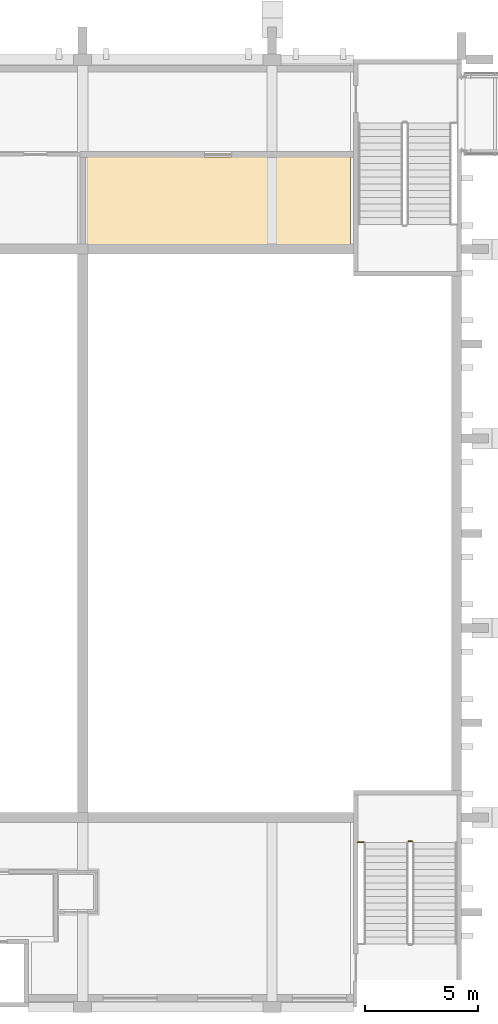
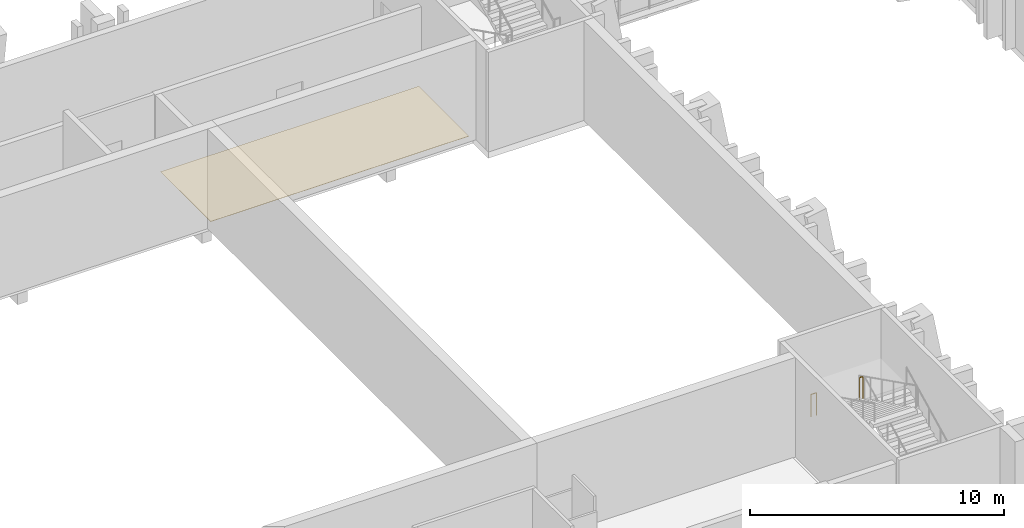
# One storey, part 80 of 91: 2 railings, 1 covering.
"""IFC4 building model written with IfcOpenShell, lengths in metres."""

from ifc_helpers import new_model, si_unit, direction, frame, origin, origin_2d, place, context, subcontext, project, spatial, polyline, circle, outline, extrude, material, layer, layer_set, type_object, element, save


model = new_model("IFC4")

# Units and contexts
model_context = context("Model", 3, precision=1e-05, world=origin(), true_north=direction((0.0, 1.0)))
body_context = subcontext(model_context, "Body", "Model", "MODEL_VIEW")
ifc_project = project(units=[si_unit("LENGTHUNIT", "METRE"), si_unit("AREAUNIT", "SQUARE_METRE"), si_unit("VOLUMEUNIT", "CUBIC_METRE"), si_unit("PLANEANGLEUNIT", "RADIAN"), si_unit("MASSUNIT", "GRAM", prefix="KILO")], contexts=[model_context])

# Site, building, storey
site_placement = place(None, origin())
site = spatial("IfcSite", under=ifc_project, at=site_placement, CompositionType="ELEMENT")
building_placement = place(site_placement, origin())
building = spatial("IfcBuilding", under=site, at=building_placement, Name="Kiln Court Media Centre", CompositionType="ELEMENT")
storey_placement = place(building_placement, frame((0.0, 0.0, 5.39990234375)))
storey = spatial("IfcBuildingStorey", under=building, at=storey_placement, Name="L01", CompositionType="ELEMENT", Elevation=5.39990234375)

# Covering
ifc_material_1 = material(Name="Carpet tile")
ifc_layer = layer(ifc_material_1, 0.014892578125)
ifc_layer_set = layer_set([ifc_layer], Name="Carpet tile floor finish 15")
covering_type = type_object("IfcCoveringType", Name="Carpet tile floor finish 15", PredefinedType="FLOORING", material=ifc_layer_set)
covering_placement = place(storey_placement, origin())
element("IfcCovering", 1, at=covering_placement, inside=storey, type_object=covering_type, Name="Projection Room Screen 2 floor finish", PredefinedType="FLOORING", context=body_context, shape_type="SweptSolid", body=[
    extrude(outline(polyline([(84.1201171875, 58.919921875), (95.8798828125, 58.919921875), (95.8798828125, 62.8798828125), (84.1201171875, 62.8798828125), (84.1201171875, 58.919921875)])), origin(), (0.0, 0.0, 1.0), 0.01513671875),
])

# Railings
ifc_material_2 = material(Name="Steel S275", Category="steel")
railing_type = type_object("IfcRailingType", Name="Steel S275 stair guard 1100", PredefinedType="GUARDRAIL", material=ifc_material_2)
railing_1_placement = place(storey_placement, frame((98.60009765625, 32.550048828125, 2.400146484375)))
element("IfcRailing", 2, at=railing_1_placement, inside=storey, type_object=railing_type, Name="ST-10 stair guard", PredefinedType="GUARDRAIL", context=body_context, shape_type="SweptSolid", body=[
    extrude(circle(Radius=0.02392578125, at=origin_2d()), frame((0.0, 0.0, 1.076171875), z_axis=(-1.0, 0.0, 0.0), x_axis=(0.0, -1.0, 0.0)), (0.0, 0.0, 1.0), 0.150146484375),
    extrude(circle(Radius=0.02099609375, at=origin_2d()), origin(), (0.0, 0.0, 1.0), 1.052001953125),
    extrude(circle(Radius=0.02099609375, at=origin_2d()), frame((-0.150146484375, 0.0, 0.0)), (0.0, 0.0, 1.0), 1.052001953125),
])
railing_2_placement = place(storey_placement, frame((96.449951171875, 32.5, 2.400146484375)))
element("IfcRailing", 3, at=railing_2_placement, inside=storey, type_object=railing_type, Name="ST-10 landing edge guard", PredefinedType="GUARDRAIL", context=body_context, shape_type="SweptSolid", body=[
    extrude(circle(Radius=0.02392578125, at=origin_2d()), frame((0.0, 0.0, 1.076171875), z_axis=(-1.0, 0.0, 0.0), x_axis=(0.0, -1.0, 0.0)), (0.0, 0.0, 1.0), 0.25),
    extrude(circle(Radius=0.02099609375, at=origin_2d()), origin(), (0.0, 0.0, 1.0), 1.052001953125),
    extrude(circle(Radius=0.02099609375, at=origin_2d()), frame((-0.25, 0.0, 0.0)), (0.0, 0.0, 1.0), 1.052001953125),
])

save(model, "model.ifc")
